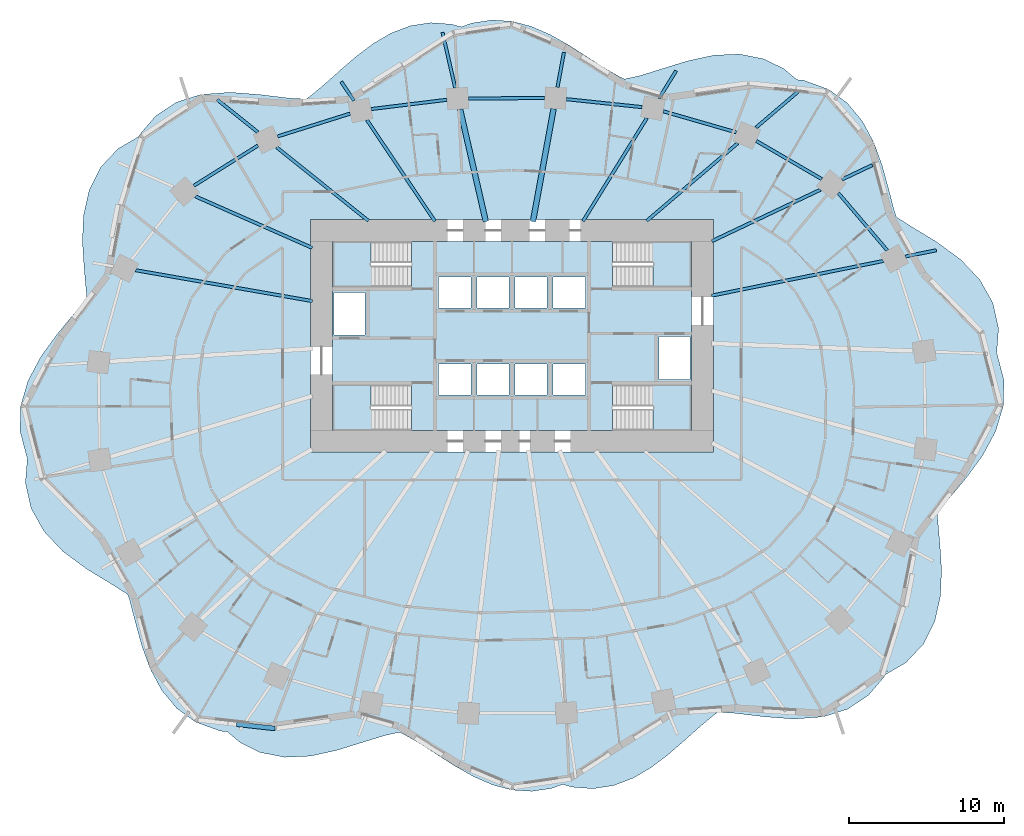
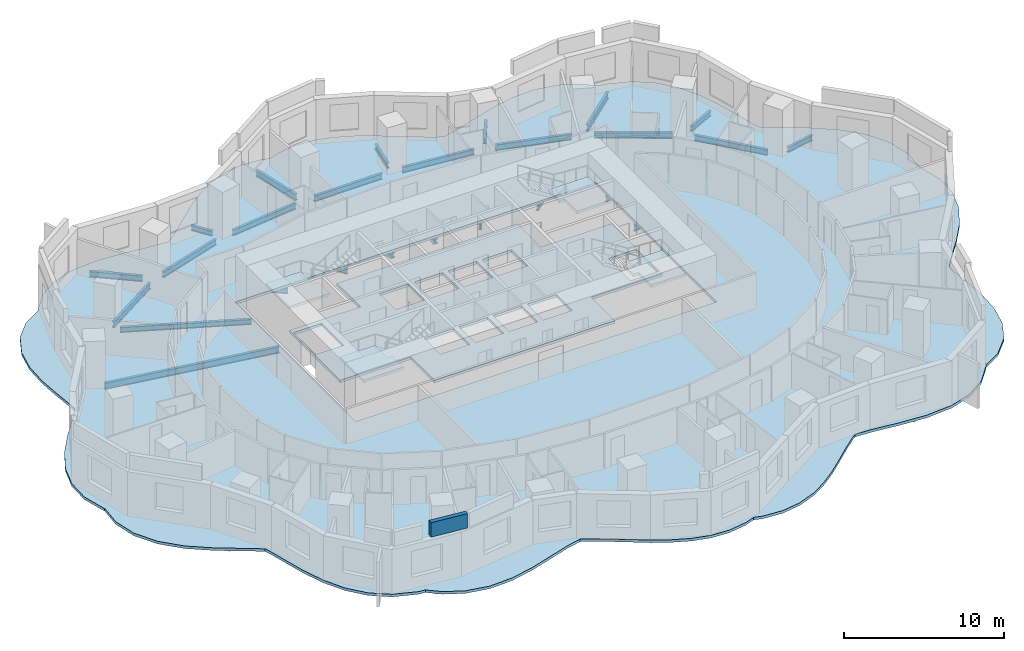
# One storey, part 2 of 11: 26 beams, 6 slabs, 1 wall, 4 elements without a shape of their own.
"""IFC4 building model written with IfcOpenShell, lengths in metres."""

from ifc_helpers import new_model, si_unit, direction, frame, frame_2d, origin, origin_2d, place, context, subcontext, project, spatial, polyline, rectangle, i_section, outline, extrude, material, layer, layer_set, material_profile, profile_set, type_object, element, aggregate, save


model = new_model("IFC4")

# Units and contexts
model_context = context("Model", 3, precision=1e-05, world=origin(), true_north=direction((0.0, 1.0)))
body_context = subcontext(model_context, "Body", "Model", "MODEL_VIEW")
ifc_project = project(units=[si_unit("LENGTHUNIT", "METRE"), si_unit("AREAUNIT", "SQUARE_METRE"), si_unit("VOLUMEUNIT", "CUBIC_METRE"), si_unit("PLANEANGLEUNIT", "RADIAN"), si_unit("MASSUNIT", "GRAM", prefix="KILO")], contexts=[model_context])

# Site, building, storey
site_placement = place(None, origin())
site = spatial("IfcSite", under=ifc_project, at=site_placement, CompositionType="ELEMENT")
building_placement = place(site_placement, origin())
building = spatial("IfcBuilding", under=site, at=building_placement, Name="Rubra Terraces Tower", CompositionType="ELEMENT")
storey_placement = place(building_placement, frame((0.0, 0.0, 41.10009765625)))
storey = spatial("IfcBuildingStorey", under=building, at=storey_placement, Name="L07", CompositionType="ELEMENT", Elevation=41.10009765625)

# Beams
ifc_material_1 = material(Name="Steel Q355B", Category="steel")
ifc_material_profile_1 = material_profile(ifc_material_1, i_section(OverallWidth=0.199951171875, OverallDepth=0.39990234375, WebThickness=0.008056640625, FlangeThickness=0.012939453125, at=origin_2d()), Name="HN 400x200x8x13")
ifc_profile_set_1 = profile_set([ifc_material_profile_1], Name="Steel Q355B")
beam_type_1 = type_object("IfcBeamType", Name="CANTILEVER BEAM HN 400x200x8x13", PredefinedType="BEAM", material=ifc_profile_set_1)
beam_1_placement = place(storey_placement, frame((25.39599609375, 9.6279296875, -0.400146484375), z_axis=(0.980195903265, 0.198030278548, 0.0), x_axis=(-0.198030278548, 0.980195903265, 0.0)))
element("IfcBeam", 1, at=beam_1_placement, inside=storey, type_object=beam_type_1, Name="beam-L07-cant-02", PredefinedType="BEAM", context=body_context, shape_type="SweptSolid", body=[
    extrude(i_section(OverallWidth=0.199951171875, OverallDepth=0.39990234375, WebThickness=0.008056640625, FlangeThickness=0.012939453125, at=origin_2d()), origin(), (0.0, 0.0, 1.0), 2.035400390625),
])
beam_2_placement = place(storey_placement, frame((21.2958984375, 14.595947265625, -0.400146484375), z_axis=(0.903592750277, 0.428392508859, 0.0), x_axis=(-0.428392508859, 0.903592750277, 0.0)))
element("IfcBeam", 2, at=beam_2_placement, inside=storey, type_object=beam_type_1, Name="beam-L07-cant-03", PredefinedType="BEAM", context=body_context, shape_type="SweptSolid", body=[
    extrude(i_section(OverallWidth=0.199951171875, OverallDepth=0.39990234375, WebThickness=0.008056640625, FlangeThickness=0.012939453125, at=origin_2d()), origin(), (0.0, 0.0, 1.0), 2.159423828125),
])
beam_3_placement = place(storey_placement, frame((9.488037109375, 19.827880859375, -0.400146484375), z_axis=(0.526190071233, 0.850366984857, 0.0), x_axis=(-0.850366984857, 0.526190071233, 0.0)))
element("IfcBeam", 3, at=beam_3_placement, inside=storey, type_object=beam_type_1, Name="beam-L07-cant-05", PredefinedType="BEAM", context=body_context, shape_type="SweptSolid", body=[
    extrude(i_section(OverallWidth=0.199951171875, OverallDepth=0.39990234375, WebThickness=0.008056640625, FlangeThickness=0.012939453125, at=origin_2d()), origin(), (0.0, 0.0, 1.0), 2.094482421875),
])
beam_4_placement = place(storey_placement, frame((2.93798828125, 20.549072265625, -0.400146484375), z_axis=(0.180314089166, 0.983609083553, 0.0), x_axis=(-0.983609083553, 0.180314089166, 0.0)))
element("IfcBeam", 4, at=beam_4_placement, inside=storey, type_object=beam_type_1, Name="beam-L07-cant-06", PredefinedType="BEAM", context=body_context, shape_type="SweptSolid", body=[
    extrude(i_section(OverallWidth=0.199951171875, OverallDepth=0.39990234375, WebThickness=0.008056640625, FlangeThickness=0.012939453125, at=origin_2d()), origin(), (0.0, 0.0, 1.0), 2.285400390625),
])
beam_5_placement = place(storey_placement, frame((-10.199951171875, 19.68310546875, -0.400146484375), z_axis=(-0.55771272849, 0.830034042965, 0.0), x_axis=(-0.830034042965, -0.55771272849, 0.0)))
element("IfcBeam", 5, at=beam_5_placement, inside=storey, type_object=beam_type_1, Name="beam-L07-cant-08", PredefinedType="BEAM", context=body_context, shape_type="SweptSolid", body=[
    extrude(i_section(OverallWidth=0.199951171875, OverallDepth=0.39990234375, WebThickness=0.008056640625, FlangeThickness=0.012939453125, at=origin_2d()), origin(), (0.0, 0.0, 1.0), 1.4755859375),
])
ifc_material_profile_2 = material_profile(ifc_material_1, i_section(OverallWidth=0.198974609375, OverallDepth=0.446044921875, WebThickness=0.008056640625, FlangeThickness=0.011962890625, at=origin_2d()), Name="HN 446x199x8x12")
ifc_profile_set_2 = profile_set([ifc_material_profile_2], Name="Steel Q355B")
beam_type_2 = type_object("IfcBeamType", Name="CANTILEVER BEAM HN 446x199x8x12", PredefinedType="BEAM", material=ifc_profile_set_2)
beam_6_placement = place(storey_placement, frame((-16.408935546875, 17.654052734375, -0.423095703125), z_axis=(-0.780378478689, 0.62530746837, 0.0), x_axis=(-0.62530746837, -0.780378478689, 0.0)))
element("IfcBeam", 6, at=beam_6_placement, inside=storey, type_object=beam_type_2, Name="beam-L07-cant-09", PredefinedType="BEAM", context=body_context, shape_type="SweptSolid", body=[
    extrude(i_section(OverallWidth=0.198974609375, OverallDepth=0.446044921875, WebThickness=0.008056640625, FlangeThickness=0.011962890625, at=origin_2d()), origin(), (0.0, 0.0, 1.0), 3.353515625),
])
ifc_material_profile_3 = material_profile(ifc_material_1, i_section(OverallWidth=0.198974609375, OverallDepth=0.49609375, WebThickness=0.009033203125, FlangeThickness=0.013916015625, at=origin_2d()), Name="HN 496x199x9x14")
ifc_profile_set_3 = profile_set([ifc_material_profile_3], Name="Steel Q355B")
beam_type_3 = type_object("IfcBeamType", Name="CANTILEVER BEAM HN 496x199x9x14", PredefinedType="BEAM", material=ifc_profile_set_3)
beam_7_placement = place(storey_placement, frame((15.7509765625, 17.947998046875, -0.447998046875), z_axis=(0.760549427377, 0.649280038594, 0.0), x_axis=(-0.649280038594, 0.760549427377, 0.0)))
element("IfcBeam", 7, at=beam_7_placement, inside=storey, type_object=beam_type_3, Name="beam-L07-cant-04", PredefinedType="BEAM", context=body_context, shape_type="SweptSolid", body=[
    extrude(i_section(OverallWidth=0.198974609375, OverallDepth=0.49609375, WebThickness=0.009033203125, FlangeThickness=0.013916015625, at=origin_2d()), origin(), (0.0, 0.0, 1.0), 3.901123046875),
])
beam_8_placement = place(storey_placement, frame((-3.6669921875, 20.514892578125, -0.447998046875), z_axis=(-0.22319553445, 0.974773693429, 0.0), x_axis=(-0.974773693429, -0.22319553445, 0.0)))
element("IfcBeam", 8, at=beam_8_placement, inside=storey, type_object=beam_type_3, Name="beam-L07-cant-07", PredefinedType="BEAM", context=body_context, shape_type="SweptSolid", body=[
    extrude(i_section(OverallWidth=0.198974609375, OverallDepth=0.49609375, WebThickness=0.009033203125, FlangeThickness=0.013916015625, at=origin_2d()), origin(), (0.0, 0.0, 1.0), 3.66552734375),
])
ifc_material_profile_4 = material_profile(ifc_material_1, i_section(OverallWidth=0.199951171875, OverallDepth=0.39990234375, WebThickness=0.008056640625, FlangeThickness=0.012939453125, at=origin_2d()), Name="HN 400x200x8x13")
ifc_profile_set_4 = profile_set([ifc_material_profile_4], Name="Steel Q355B")
beam_type_4 = type_object("IfcBeamType", Name="FLOOR BEAM HN 400x200x8x13", PredefinedType="BEAM", material=ifc_profile_set_4)
beam_9_placement = place(storey_placement, frame((19.904052734375, 13.93603515625, -0.400146484375), z_axis=(-0.903612237836, -0.428351402045, 0.0), x_axis=(0.428351402045, -0.903612237836, 0.0)))
element("IfcBeam", 9, at=beam_9_placement, inside=storey, type_object=beam_type_4, Name="beam-L07-floor-03", PredefinedType="BEAM", context=body_context, shape_type="SweptSolid", body=[
    extrude(i_section(OverallWidth=0.199951171875, OverallDepth=0.39990234375, WebThickness=0.008056640625, FlangeThickness=0.012939453125, at=origin_2d()), origin(), (0.0, 0.0, 1.0), 7.760009765625),
])
beam_10_placement = place(storey_placement, frame((14.56298828125, 16.93408203125, -0.400146484375), z_axis=(-0.760494401061, -0.649344489431, 0.0), x_axis=(0.649344489431, -0.760494401061, 0.0)))
element("IfcBeam", 10, at=beam_10_placement, inside=storey, type_object=beam_type_4, Name="beam-L07-floor-04", PredefinedType="BEAM", context=body_context, shape_type="SweptSolid", body=[
    extrude(i_section(OverallWidth=0.199951171875, OverallDepth=0.39990234375, WebThickness=0.008056640625, FlangeThickness=0.012939453125, at=origin_2d()), origin(), (0.0, 0.0, 1.0), 7.718505859375),
])
beam_11_placement = place(storey_placement, frame((8.699951171875, 18.555908203125, -0.400146484375), z_axis=(-0.526285914839, -0.850307671283, 0.0), x_axis=(0.850307671283, -0.526285914839, 0.0)))
element("IfcBeam", 11, at=beam_11_placement, inside=storey, type_object=beam_type_4, Name="beam-L07-floor-05", PredefinedType="BEAM", context=body_context, shape_type="SweptSolid", body=[
    extrude(i_section(OverallWidth=0.199951171875, OverallDepth=0.39990234375, WebThickness=0.008056640625, FlangeThickness=0.012939453125, at=origin_2d()), origin(), (0.0, 0.0, 1.0), 7.830078125),
])
beam_12_placement = place(storey_placement, frame((-9.360107421875, 18.43310546875, -0.400146484375), z_axis=(0.557574689395, -0.830126776912, 0.0), x_axis=(0.830126776912, 0.557574689395, 0.0)))
element("IfcBeam", 12, at=beam_12_placement, inside=storey, type_object=beam_type_4, Name="beam-L07-floor-08", PredefinedType="BEAM", context=body_context, shape_type="SweptSolid", body=[
    extrude(i_section(OverallWidth=0.199951171875, OverallDepth=0.39990234375, WebThickness=0.008056640625, FlangeThickness=0.012939453125, at=origin_2d()), origin(), (0.0, 0.0, 1.0), 7.8701171875),
])
beam_13_placement = place(storey_placement, frame((-15.18896484375, 16.676025390625, -0.400146484375), z_axis=(0.780266406942, -0.625447307291, 0.0), x_axis=(0.625447307291, 0.780266406942, 0.0)))
element("IfcBeam", 13, at=beam_13_placement, inside=storey, type_object=beam_type_4, Name="beam-L07-floor-09", PredefinedType="BEAM", context=body_context, shape_type="SweptSolid", body=[
    extrude(i_section(OverallWidth=0.199951171875, OverallDepth=0.39990234375, WebThickness=0.008056640625, FlangeThickness=0.012939453125, at=origin_2d()), origin(), (0.0, 0.0, 1.0), 7.59619140625),
])
beam_14_placement = place(storey_placement, frame((-20.43310546875, 13.508056640625, -0.400146484375), z_axis=(0.914994662209, -0.4034659442, 0.0), x_axis=(0.4034659442, 0.914994662209, 0.0)))
element("IfcBeam", 14, at=beam_14_placement, inside=storey, type_object=beam_type_4, Name="beam-L07-floor-10", PredefinedType="BEAM", context=body_context, shape_type="SweptSolid", body=[
    extrude(i_section(OverallWidth=0.199951171875, OverallDepth=0.39990234375, WebThickness=0.008056640625, FlangeThickness=0.012939453125, at=origin_2d()), origin(), (0.0, 0.0, 1.0), 8.243896484375),
])
ifc_material_profile_5 = material_profile(ifc_material_1, i_section(OverallWidth=0.198974609375, OverallDepth=0.49609375, WebThickness=0.009033203125, FlangeThickness=0.013916015625, at=origin_2d()), Name="HN 496x199x9x14")
ifc_profile_set_5 = profile_set([ifc_material_profile_5], Name="Steel Q355B")
beam_type_5 = type_object("IfcBeamType", Name="FLOOR BEAM HN 496x199x9x14", PredefinedType="BEAM", material=ifc_profile_set_5)
beam_15_placement = place(storey_placement, frame((23.9560546875, 9.337890625, -0.447998046875), z_axis=(-0.980204035637, -0.197990021264, 0.0), x_axis=(0.197990021264, -0.980204035637, 0.0)))
element("IfcBeam", 15, at=beam_15_placement, inside=storey, type_object=beam_type_5, Name="beam-L07-floor-02", PredefinedType="BEAM", context=body_context, shape_type="SweptSolid", body=[
    extrude(i_section(OverallWidth=0.198974609375, OverallDepth=0.49609375, WebThickness=0.009033203125, FlangeThickness=0.013916015625, at=origin_2d()), origin(), (0.0, 0.0, 1.0), 11.297607421875),
])
beam_16_placement = place(storey_placement, frame((-24.282958984375, 8.739990234375, -0.447998046875), z_axis=(0.985091834527, -0.172029292701, 0.0), x_axis=(0.172029292701, 0.985091834527, 0.0)))
element("IfcBeam", 16, at=beam_16_placement, inside=storey, type_object=beam_type_5, Name="beam-L07-floor-11", PredefinedType="BEAM", context=body_context, shape_type="SweptSolid", body=[
    extrude(i_section(OverallWidth=0.198974609375, OverallDepth=0.49609375, WebThickness=0.009033203125, FlangeThickness=0.013916015625, at=origin_2d()), origin(), (0.0, 0.0, 1.0), 11.573486328125),
])
ifc_material_profile_6 = material_profile(ifc_material_1, i_section(OverallWidth=0.35009765625, OverallDepth=0.35009765625, WebThickness=0.011962890625, FlangeThickness=0.01904296875, at=origin_2d()), Name="HW 350x350x12x19")
ifc_profile_set_6 = profile_set([ifc_material_profile_6], Name="Steel Q355B")
beam_type_6 = type_object("IfcBeamType", Name="FLOOR BEAM HW 350x350x12x19", PredefinedType="BEAM", material=ifc_profile_set_6)
beam_17_placement = place(storey_placement, frame((2.68408203125, 19.158935546875, -0.375), z_axis=(-0.180186319425, -0.983632497578, 0.0), x_axis=(0.983632497578, -0.180186319425, 0.0)))
element("IfcBeam", 17, at=beam_17_placement, inside=storey, type_object=beam_type_6, Name="beam-L07-floor-06", PredefinedType="BEAM", context=body_context, shape_type="SweptSolid", body=[
    extrude(i_section(OverallWidth=0.35009765625, OverallDepth=0.35009765625, WebThickness=0.011962890625, FlangeThickness=0.01904296875, at=origin_2d()), origin(), (0.0, 0.0, 1.0), 7.39794921875),
])
beam_18_placement = place(storey_placement, frame((-3.35107421875, 19.133056640625, -0.375), z_axis=(0.223209821828, -0.974770421914, 0.0), x_axis=(0.974770421914, 0.223209821828, 0.0)))
element("IfcBeam", 18, at=beam_18_placement, inside=storey, type_object=beam_type_6, Name="beam-L07-floor-07", PredefinedType="BEAM", context=body_context, shape_type="SweptSolid", body=[
    extrude(i_section(OverallWidth=0.35009765625, OverallDepth=0.35009765625, WebThickness=0.011962890625, FlangeThickness=0.01904296875, at=origin_2d()), origin(), (0.0, 0.0, 1.0), 7.437744140625),
])
ifc_material_profile_7 = material_profile(ifc_material_1, i_section(OverallWidth=0.198974609375, OverallDepth=0.446044921875, WebThickness=0.008056640625, FlangeThickness=0.011962890625, at=origin_2d()), Name="HN 446x199x8x12")
ifc_profile_set_7 = profile_set([ifc_material_profile_7], Name="Steel Q355B")
beam_type_7 = type_object("IfcBeamType", Name="SPANDREL BEAM HN 446x199x8x12", PredefinedType="SPANDREL", material=ifc_profile_set_7)
beam_19_placement = place(storey_placement, frame((24.212890625, 10.02587890625, -0.423095703125), z_axis=(-0.648447050824, 0.761259760054, 0.0), x_axis=(-0.761259760054, -0.648447050824, 0.0)))
element("IfcBeam", 19, at=beam_19_placement, inside=storey, type_object=beam_type_7, Name="beam-L07-spandrel-02", PredefinedType="SPANDREL", context=body_context, shape_type="SweptSolid", body=[
    extrude(i_section(OverallWidth=0.198974609375, OverallDepth=0.446044921875, WebThickness=0.008056640625, FlangeThickness=0.011962890625, at=origin_2d()), origin(), (0.0, 0.0, 1.0), 4.860595703125),
])
beam_20_placement = place(storey_placement, frame((19.987060546875, 14.6240234375, -0.423095703125), z_axis=(-0.863806081452, 0.503824427402, 0.0), x_axis=(-0.503824427402, -0.863806081452, 0.0)))
element("IfcBeam", 20, at=beam_20_placement, inside=storey, type_object=beam_type_7, Name="beam-L07-spandrel-03", PredefinedType="SPANDREL", context=body_context, shape_type="SweptSolid", body=[
    extrude(i_section(OverallWidth=0.198974609375, OverallDepth=0.446044921875, WebThickness=0.008056640625, FlangeThickness=0.011962890625, at=origin_2d()), origin(), (0.0, 0.0, 1.0), 4.886474609375),
])
beam_21_placement = place(storey_placement, frame((14.47900390625, 17.636962890625, -0.423095703125), z_axis=(-0.960743980202, 0.277436487337, 0.0), x_axis=(-0.277436487337, -0.960743980202, 0.0)))
element("IfcBeam", 21, at=beam_21_placement, inside=storey, type_object=beam_type_7, Name="beam-L07-spandrel-04", PredefinedType="SPANDREL", context=body_context, shape_type="SweptSolid", body=[
    extrude(i_section(OverallWidth=0.198974609375, OverallDepth=0.446044921875, WebThickness=0.008056640625, FlangeThickness=0.011962890625, at=origin_2d()), origin(), (0.0, 0.0, 1.0), 4.90234375),
])
beam_22_placement = place(storey_placement, frame((8.39501953125, 19.26611328125, -0.423095703125), z_axis=(-0.994495375694, 0.104780473964, 0.0), x_axis=(-0.104780473964, -0.994495375694, 0.0)))
element("IfcBeam", 22, at=beam_22_placement, inside=storey, type_object=beam_type_7, Name="beam-L07-spandrel-05", PredefinedType="SPANDREL", context=body_context, shape_type="SweptSolid", body=[
    extrude(i_section(OverallWidth=0.198974609375, OverallDepth=0.446044921875, WebThickness=0.008056640625, FlangeThickness=0.011962890625, at=origin_2d()), origin(), (0.0, 0.0, 1.0), 4.9140625),
])
beam_23_placement = place(storey_placement, frame((2.110107421875, 19.85107421875, -0.423095703125), z_axis=(-0.999987924698, -0.004914311469, 0.0), x_axis=(0.004914311469, -0.999987924698, 0.0)))
element("IfcBeam", 23, at=beam_23_placement, inside=storey, type_object=beam_type_7, Name="beam-L07-spandrel-06", PredefinedType="SPANDREL", context=body_context, shape_type="SweptSolid", body=[
    extrude(i_section(OverallWidth=0.198974609375, OverallDepth=0.446044921875, WebThickness=0.008056640625, FlangeThickness=0.011962890625, at=origin_2d()), origin(), (0.0, 0.0, 1.0), 4.918212890625),
])
beam_24_placement = place(storey_placement, frame((-4.205078125, 19.739013671875, -0.423095703125), z_axis=(-0.992616576014, -0.12129440639, 0.0), x_axis=(0.12129440639, -0.992616576014, 0.0)))
element("IfcBeam", 24, at=beam_24_placement, inside=storey, type_object=beam_type_7, Name="beam-L07-spandrel-07", PredefinedType="SPANDREL", context=body_context, shape_type="SweptSolid", body=[
    extrude(i_section(OverallWidth=0.198974609375, OverallDepth=0.446044921875, WebThickness=0.008056640625, FlangeThickness=0.011962890625, at=origin_2d()), origin(), (0.0, 0.0, 1.0), 4.913330078125),
])
beam_25_placement = place(storey_placement, frame((-10.450927734375, 18.846923828125, -0.423095703125), z_axis=(-0.953954624663, -0.299950952796, 0.0), x_axis=(0.299950952796, -0.953954624663, 0.0)))
element("IfcBeam", 25, at=beam_25_placement, inside=storey, type_object=beam_type_7, Name="beam-L07-spandrel-08", PredefinedType="SPANDREL", context=body_context, shape_type="SweptSolid", body=[
    extrude(i_section(OverallWidth=0.198974609375, OverallDepth=0.446044921875, WebThickness=0.008056640625, FlangeThickness=0.011962890625, at=origin_2d()), origin(), (0.0, 0.0, 1.0), 4.900634765625),
])
beam_26_placement = place(storey_placement, frame((-16.39697265625, 16.7900390625, -0.423095703125), z_axis=(-0.847078460197, -0.531467856291, 0.0), x_axis=(0.531467856291, -0.847078460197, 0.0)))
element("IfcBeam", 26, at=beam_26_placement, inside=storey, type_object=beam_type_7, Name="beam-L07-spandrel-09", PredefinedType="SPANDREL", context=body_context, shape_type="SweptSolid", body=[
    extrude(i_section(OverallWidth=0.198974609375, OverallDepth=0.446044921875, WebThickness=0.008056640625, FlangeThickness=0.011962890625, at=origin_2d()), origin(), (0.0, 0.0, 1.0), 4.882568359375),
])

# Slab
ifc_material_2 = material(Name="Concrete C40", Category="concrete")
ifc_layer_1 = layer(ifc_material_2, 0.199951171875)
ifc_layer_set_1 = layer_set([ifc_layer_1], Name="Concrete C40")
slab_type_1 = type_object("IfcSlabType", Name="Core floor slab 200 concrete", PredefinedType="FLOOR", material=ifc_layer_set_1)
slab_1_placement = place(storey_placement, frame((0.0, 0.0, -0.2001953125)))
element("IfcSlab", 27, at=slab_1_placement, inside=storey, type_object=slab_type_1, Name="CORE FLOOR SLAB L07", PredefinedType="FLOOR", context=body_context, shape_type="SweptSolid", body=[
    extrude(outline(polyline([(-11.60009765625, 1.347900390625), (-11.60009765625, 7.652099609375), (-6.501953125, 7.652099609375), (-6.501953125, 10.60009765625), (6.501953125, 10.60009765625), (6.501953125, 7.652099609375), (11.60009765625, 7.652099609375), (11.60009765625, 1.347900390625), (6.501953125, 1.347900390625), (6.501953125, -1.60009765625), (-6.501953125, -1.60009765625), (-6.501953125, 1.347900390625), (-11.60009765625, 1.347900390625)]), holes=[polyline([(9.5, 1.699951171875), (11.5, 1.699951171875), (11.5, 4.449951171875), (9.5, 4.449951171875), (9.5, 1.699951171875)]), polyline([(4.75, 0.699951171875), (4.75, 2.699951171875), (2.64990234375, 2.699951171875), (2.64990234375, 0.699951171875), (4.75, 0.699951171875)]), polyline([(4.75, 6.300048828125), (4.75, 8.300048828125), (2.64990234375, 8.300048828125), (2.64990234375, 6.300048828125), (4.75, 6.300048828125)]), polyline([(2.25, 0.699951171875), (2.25, 2.699951171875), (0.199951171875, 2.699951171875), (0.199951171875, 0.699951171875), (2.25, 0.699951171875)]), polyline([(2.25, 6.300048828125), (2.25, 8.300048828125), (0.199951171875, 8.300048828125), (0.199951171875, 6.300048828125), (2.25, 6.300048828125)]), polyline([(-0.199951171875, 0.699951171875), (-0.199951171875, 2.699951171875), (-2.25, 2.699951171875), (-2.25, 0.699951171875), (-0.199951171875, 0.699951171875)]), polyline([(-0.199951171875, 6.300048828125), (-0.199951171875, 8.300048828125), (-2.25, 8.300048828125), (-2.25, 6.300048828125), (-0.199951171875, 6.300048828125)]), polyline([(-2.64990234375, 0.699951171875), (-2.64990234375, 2.699951171875), (-4.75, 2.699951171875), (-4.75, 0.699951171875), (-2.64990234375, 0.699951171875)]), polyline([(-2.64990234375, 8.300048828125), (-4.75, 8.300048828125), (-4.75, 6.300048828125), (-2.64990234375, 6.300048828125), (-2.64990234375, 8.300048828125)]), polyline([(-9.5, 7.300048828125), (-11.5, 7.300048828125), (-11.5, 4.550048828125), (-9.5, 4.550048828125), (-9.5, 7.300048828125)])]), origin(), (0.0, 0.0, 1.0), 0.2001953125),
])

# Stair, slab
stair_type = type_object("IfcStairType", Name="Core stair 1400", PredefinedType="HALF_TURN_STAIR", material=ifc_material_2)
stair_1_placement = place(storey_placement, origin())
stair_1 = element("IfcStair", 28, at=stair_1_placement, inside=storey, type_object=stair_type, Name="L07 Exit stair S1", PredefinedType="HALF_TURN_STAIR")
ifc_layer_2 = layer(ifc_material_2, 0.199951171875)
ifc_layer_set_2 = layer_set([ifc_layer_2], Name="Concrete C40")
slab_type_2 = type_object("IfcSlabType", Name="Core stair landing 200", PredefinedType="LANDING", material=ifc_layer_set_2)
slab_2_placement = place(storey_placement, frame((0.0, 0.0, 1.599853515625)))
slab_2 = element("IfcSlab", 29, at=slab_2_placement, type_object=slab_type_2, Name="S1 landing 1", PredefinedType="LANDING", context=body_context, shape_type="SweptSolid", body=[
    extrude(outline(polyline([(-8.719970703125, -0.199951171875), (-8.719970703125, -1.60009765625), (-9.10009765625, -1.60009765625), (-9.1201171875, -1.60009765625), (-11.60009765625, -1.60009765625), (-11.60009765625, 1.35009765625), (-9.1201171875, 1.35009765625), (-9.097900390625, 1.35009765625), (-9.097900390625, -0.050048828125), (-9.10009765625, -0.050048828125), (-9.10009765625, -0.199951171875), (-8.719970703125, -0.199951171875)])), origin(), (0.0, 0.0, 1.0), 0.199951171875),
])
aggregate(stair_1, [slab_2])

stair_2_placement = place(storey_placement, origin())
stair_2 = element("IfcStair", 30, at=stair_2_placement, inside=storey, type_object=stair_type, Name="L07 Exit stair S2", PredefinedType="HALF_TURN_STAIR")
slab_3_placement = place(storey_placement, frame((0.0, 0.0, 1.599853515625)))
slab_3 = element("IfcSlab", 31, at=slab_3_placement, type_object=slab_type_2, Name="S2 landing 1", PredefinedType="LANDING", context=body_context, shape_type="SweptSolid", body=[
    extrude(outline(polyline([(-8.719970703125, 9.050048828125), (-8.719970703125, 7.64990234375), (-9.1201171875, 7.64990234375), (-11.60009765625, 7.64990234375), (-11.60009765625, 10.60009765625), (-9.1201171875, 10.60009765625), (-9.10009765625, 10.60009765625), (-9.097900390625, 10.60009765625), (-9.097900390625, 9.199951171875), (-9.10009765625, 9.199951171875), (-9.10009765625, 9.050048828125), (-8.719970703125, 9.050048828125)])), origin(), (0.0, 0.0, 1.0), 0.199951171875),
])
aggregate(stair_2, [slab_3])

stair_3_placement = place(storey_placement, origin())
stair_3 = element("IfcStair", 32, at=stair_3_placement, inside=storey, type_object=stair_type, Name="L07 Exit stair S3", PredefinedType="HALF_TURN_STAIR")
slab_4_placement = place(storey_placement, frame((0.0, 0.0, 1.599853515625)))
slab_4 = element("IfcSlab", 33, at=slab_4_placement, type_object=slab_type_2, Name="S3 landing 1", PredefinedType="LANDING", context=body_context, shape_type="SweptSolid", body=[
    extrude(outline(polyline([(9.10009765625, 9.050048828125), (9.10009765625, 9.199951171875), (8.719970703125, 9.199951171875), (8.719970703125, 10.60009765625), (9.10009765625, 10.60009765625), (9.1201171875, 10.60009765625), (11.60009765625, 10.60009765625), (11.60009765625, 7.64990234375), (9.1201171875, 7.64990234375), (9.097900390625, 7.64990234375), (9.097900390625, 9.050048828125), (9.10009765625, 9.050048828125)])), origin(), (0.0, 0.0, 1.0), 0.199951171875),
])
aggregate(stair_3, [slab_4])

stair_4_placement = place(storey_placement, origin())
stair_4 = element("IfcStair", 34, at=stair_4_placement, inside=storey, type_object=stair_type, Name="L07 Exit stair S4", PredefinedType="HALF_TURN_STAIR")
slab_5_placement = place(storey_placement, frame((0.0, 0.0, 1.599853515625)))
slab_5 = element("IfcSlab", 35, at=slab_5_placement, type_object=slab_type_2, Name="S4 landing 1", PredefinedType="LANDING", context=body_context, shape_type="SweptSolid", body=[
    extrude(outline(polyline([(9.10009765625, -0.199951171875), (9.10009765625, -0.050048828125), (8.719970703125, -0.050048828125), (8.719970703125, 1.35009765625), (9.10009765625, 1.35009765625), (9.1201171875, 1.35009765625), (11.60009765625, 1.35009765625), (11.60009765625, -1.60009765625), (9.1201171875, -1.60009765625), (9.10009765625, -1.60009765625), (9.097900390625, -1.60009765625), (9.097900390625, -0.199951171875), (9.10009765625, -0.199951171875)])), origin(), (0.0, 0.0, 1.0), 0.199951171875),
])
aggregate(stair_4, [slab_5])

# Slab
ifc_layer_3 = layer(ifc_material_2, 0.199951171875)
ifc_layer_set_3 = layer_set([ifc_layer_3], Name="Concrete C40")
slab_type_3 = type_object("IfcSlabType", Name="FLOOR SLAB 200 COMPOSITE", PredefinedType="FLOOR", material=ifc_layer_set_3)
slab_6_placement = place(storey_placement, frame((0.0, 0.0, -0.2001953125)))
element("IfcSlab", 36, at=slab_6_placement, inside=storey, type_object=slab_type_3, Name="FLOOR SLAB L07", PredefinedType="FLOOR", context=body_context, shape_type="SweptSolid", body=[
    extrude(outline(polyline([(27.47509765625, -7.322021484375), (27.472900390625, -6.94189453125), (28.19189453125, -6.01806640625), (29.33203125, -4.64599609375), (30.39111328125, -3.19189453125), (31.22998046875, -1.62109375), (31.70703125, 0.0), (31.751953125, 1.637939453125), (31.323974609375, 3.27587890625), (31.277099609375, 3.362060546875), (31.404052734375, 4.97412109375), (31.041015625, 6.618896484375), (30.197021484375, 8.123046875), (28.97705078125, 9.4150390625), (27.410888671875, 10.569091796875), (25.825927734375, 11.528076171875), (24.80908203125, 12.177001953125), (24.673095703125, 12.571044921875), (24.30908203125, 13.97412109375), (23.90087890625, 15.469970703125), (23.35791015625, 16.970947265625), (22.611083984375, 18.364990234375), (21.62890625, 19.54296875), (20.419921875, 20.419921875), (18.81201171875, 21.001953125), (18.388916015625, 21.0390625), (17.5400390625, 21.7451171875), (16.259033203125, 22.3779296875), (14.679931640625, 22.69189453125), (13.01708984375, 22.616943359375), (11.337890625, 22.251953125), (9.77099609375, 21.76904296875), (8.261962890625, 21.300048828125), (7.27197265625, 21.080078125), (6.904052734375, 21.25), (5.85400390625, 21.866943359375), (4.782958984375, 22.55810546875), (3.68408203125, 23.259033203125), (2.47412109375, 23.943115234375), (1.240966796875, 24.47900390625), (0.0, 24.806884765625), (-1.281005859375, 24.889892578125), (-2.568115234375, 24.697021484375), (-3.27587890625, 24.446044921875), (-3.89892578125, 24.618896484375), (-5.22705078125, 24.718017578125), (-6.5380859375, 24.52197265625), (-7.81103515625, 24.041015625), (-8.944091796875, 23.3779296875), (-10.02294921875, 22.568115234375), (-11.048095703125, 21.68310546875), (-12.050048828125, 20.785888671875), (-13.029052734375, 19.968017578125), (-13.2919921875, 19.785888671875), (-12.971923828125, 19.76708984375), (-14.424072265625, 19.85302734375), (-16.263916015625, 20.075927734375), (-18.18408203125, 20.22412109375), (-20.0830078125, 20.0830078125), (-21.64111328125, 19.592041015625), (-22.986083984375, 18.7119140625), (-24.048095703125, 17.471923828125), (-24.759033203125, 16.074951171875), (-24.10693359375, 17.35693359375), (-25.419921875, 16.591064453125), (-26.54296875, 15.39697265625), (-27.2900390625, 13.905029296875), (-27.653076171875, 12.283935546875), (-27.72509765625, 10.60595703125), (-27.6201171875, 8.97412109375), (-27.47509765625, 7.322021484375), (-27.472900390625, 6.94189453125), (-28.19189453125, 6.01806640625), (-29.33203125, 4.64599609375), (-30.39111328125, 3.19189453125), (-31.22998046875, 1.62109375), (-31.70703125, 0.0), (-31.751953125, -1.637939453125), (-31.323974609375, -3.27587890625), (-31.277099609375, -3.362060546875), (-31.404052734375, -4.97412109375), (-31.041015625, -6.618896484375), (-30.197021484375, -8.123046875), (-28.97705078125, -9.4150390625), (-27.410888671875, -10.569091796875), (-25.825927734375, -11.528076171875), (-24.80908203125, -12.177001953125), (-24.673095703125, -12.571044921875), (-24.30908203125, -13.97412109375), (-23.90087890625, -15.469970703125), (-23.35791015625, -16.970947265625), (-22.611083984375, -18.364990234375), (-21.62890625, -19.54296875), (-20.419921875, -20.419921875), (-18.81201171875, -21.001953125), (-18.388916015625, -21.0390625), (-17.5400390625, -21.7451171875), (-16.259033203125, -22.3779296875), (-14.679931640625, -22.69189453125), (-13.01708984375, -22.616943359375), (-11.337890625, -22.251953125), (-9.77099609375, -21.76904296875), (-8.261962890625, -21.300048828125), (-7.27197265625, -21.080078125), (-6.904052734375, -21.25), (-5.85400390625, -21.866943359375), (-4.782958984375, -22.55810546875), (-3.68408203125, -23.259033203125), (-2.47412109375, -23.943115234375), (-1.240966796875, -24.47900390625), (0.0, -24.806884765625), (1.281005859375, -24.889892578125), (2.568115234375, -24.697021484375), (3.27587890625, -24.446044921875), (3.89892578125, -24.618896484375), (5.22705078125, -24.718017578125), (6.5380859375, -24.52197265625), (7.81103515625, -24.041015625), (8.944091796875, -23.3779296875), (10.02294921875, -22.568115234375), (11.048095703125, -21.68310546875), (12.050048828125, -20.785888671875), (13.029052734375, -19.968017578125), (13.2919921875, -19.785888671875), (12.971923828125, -19.76708984375), (14.424072265625, -19.85302734375), (16.263916015625, -20.075927734375), (18.18408203125, -20.22412109375), (20.0830078125, -20.0830078125), (21.64111328125, -19.592041015625), (22.986083984375, -18.7119140625), (24.048095703125, -17.471923828125), (24.759033203125, -16.074951171875), (24.10693359375, -17.35693359375), (25.419921875, -16.591064453125), (26.54296875, -15.39697265625), (27.2900390625, -13.905029296875), (27.653076171875, -12.283935546875), (27.72509765625, -10.60595703125), (27.6201171875, -8.97412109375), (27.47509765625, -7.322021484375)]), holes=[polyline([(13.0, 12.0), (13.0, -3.0), (-13.0, -3.0), (-13.0, 12.0), (13.0, 12.0)])]), origin(), (0.0, 0.0, 1.0), 0.2001953125),
])

# Wall
ifc_material_3 = material(Name="Brick masonry red-brown", Category="masonry")
ifc_layer_4 = layer(ifc_material_3, 0.300048828125)
ifc_layer_set_4 = layer_set([ifc_layer_4], Name="Brick masonry red-brown")
wall_type = type_object("IfcWallType", Name="Brick parapet 300", PredefinedType="PARAPET", material=ifc_layer_set_4)
wall_placement = place(storey_placement, frame((-17.77197265625, -20.558837890625, 3.599853515625), z_axis=(0.0, 0.0, 1.0), x_axis=(0.994063072833, -0.108805363973, 0.0)))
element("IfcWall", 37, at=wall_placement, inside=storey, type_object=wall_type, Name="Parapet L07 bay 26.2", PredefinedType="PARAPET", context=body_context, shape_type="SweptSolid", body=[
    extrude(rectangle(XDim=2.488525390625, YDim=0.300048828125, at=frame_2d((1.244140625, 0.0))), origin(), (0.0, 0.0, 1.0), 1.10009765625),
])

save(model, "model.ifc")
